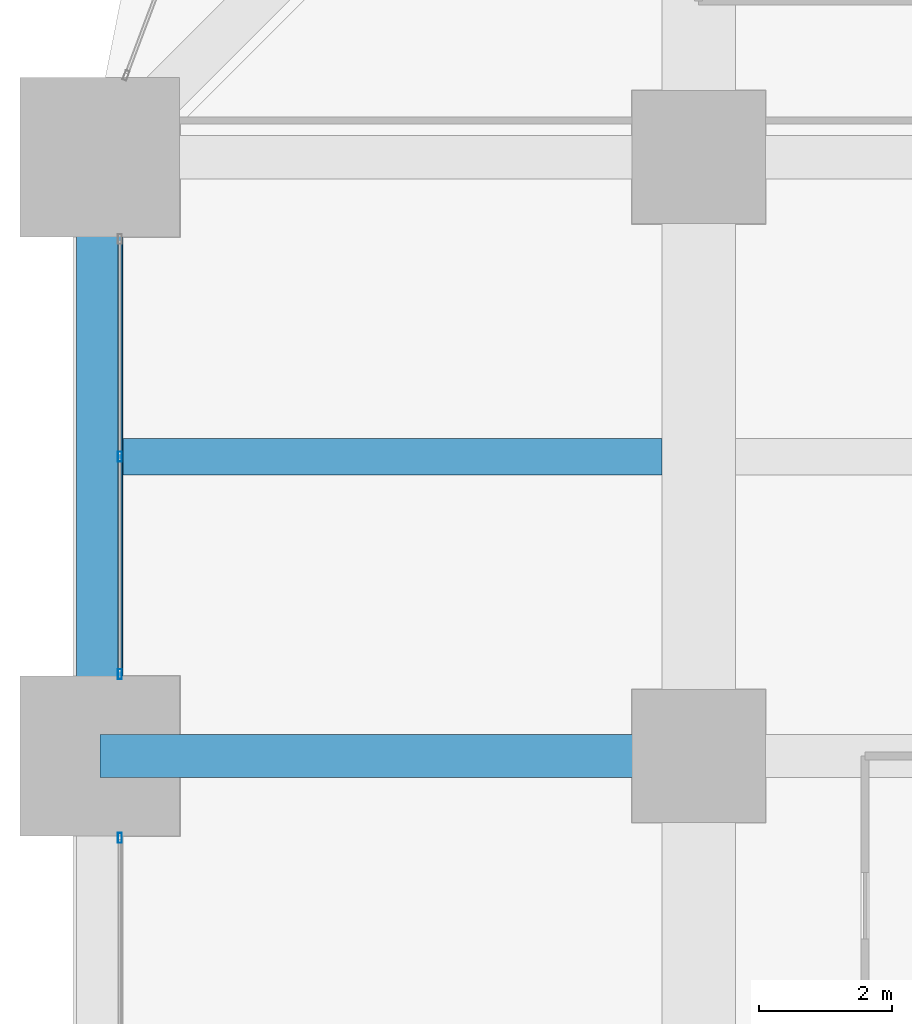
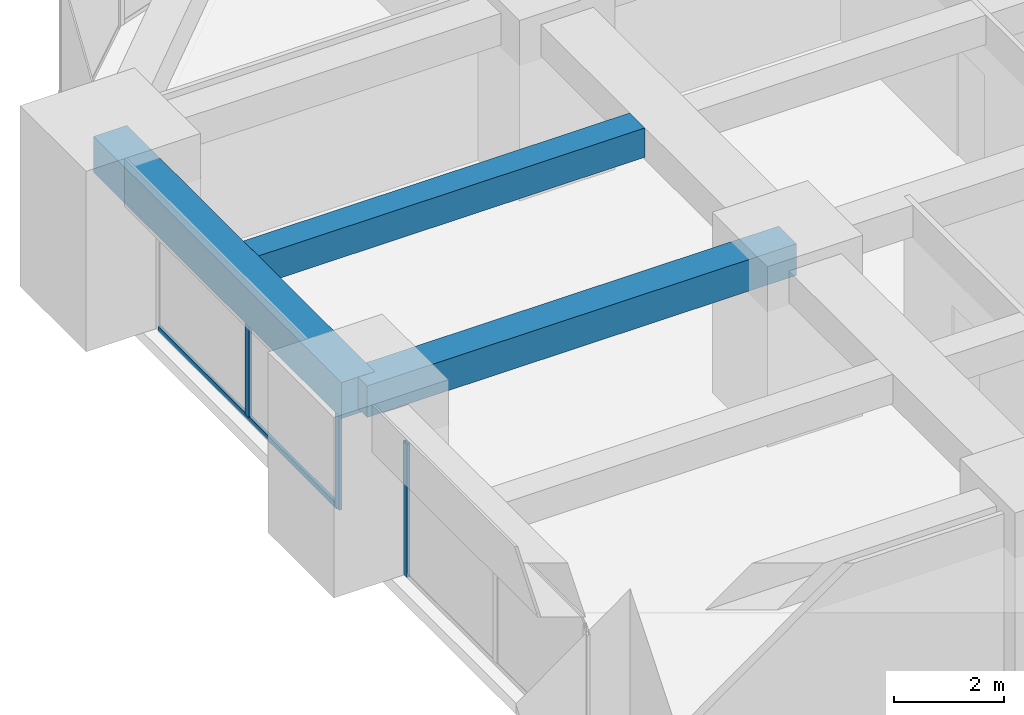
# One storey, part 11 of 41: 4 members, 3 beams, 2 elements without a shape of their own.
"""IFC4 building model written with IfcOpenShell, lengths in metres."""

from ifc_helpers import new_model, si_unit, direction, frame, origin, origin_2d, place, context, subcontext, project, spatial, rectangle, hollow_rectangle, extrude, material, material_profile, profile_set, type_object, element, aggregate, save


model = new_model("IFC4")

# Units and contexts
model_context = context("Model", 3, precision=1e-05, world=origin(), true_north=direction((0.0, 1.0)))
body_context = subcontext(model_context, "Body", "Model", "MODEL_VIEW")
ifc_project = project(units=[si_unit("LENGTHUNIT", "METRE"), si_unit("AREAUNIT", "SQUARE_METRE"), si_unit("VOLUMEUNIT", "CUBIC_METRE"), si_unit("PLANEANGLEUNIT", "RADIAN"), si_unit("MASSUNIT", "GRAM", prefix="KILO")], contexts=[model_context])

# Site, building, storey
site_placement = place(None, origin())
site = spatial("IfcSite", under=ifc_project, at=site_placement, CompositionType="ELEMENT")
building_placement = place(site_placement, origin())
building = spatial("IfcBuilding", under=site, at=building_placement, Name="Zorevar Civic Tower", CompositionType="ELEMENT")
storey_placement = place(building_placement, frame((0.0, 0.0, 97.0)))
storey = spatial("IfcBuildingStorey", under=building, at=storey_placement, Name="L23", CompositionType="ELEMENT", Elevation=97.0)

# Beams
ifc_material_1 = material(Name="Concrete C50/60", Category="concrete")
ifc_material_profile_1 = material_profile(ifc_material_1, rectangle(XDim=0.550048828125, YDim=0.64990234375, at=origin_2d()), Name="RC 550x650")
ifc_profile_set_1 = profile_set([ifc_material_profile_1], Name="Concrete C50/60")
beam_type_1 = type_object("IfcBeamType", Name="Beam RC 550x650", PredefinedType="BEAM", material=ifc_profile_set_1)
beam_1_placement = place(storey_placement, frame((0.35009765625, 31.5, 3.425048828125), z_axis=(1.0, 0.0, 0.0), x_axis=(0.0, 1.0, 0.0)))
element("IfcBeam", 1, at=beam_1_placement, inside=storey, type_object=beam_type_1, Name="Secondary beam L24", PredefinedType="BEAM", context=body_context, shape_type="SweptSolid", body=[
    extrude(rectangle(XDim=0.550048828125, YDim=0.64990234375, at=origin_2d()), origin(), (0.0, 0.0, 1.0), 8.099853515625),
])
ifc_material_2 = material(Name="Concrete C50/60", Category="concrete")
ifc_material_profile_2 = material_profile(ifc_material_2, rectangle(XDim=0.64990234375, YDim=0.699951171875, at=origin_2d()), Name="RC 650x700")
ifc_profile_set_2 = profile_set([ifc_material_profile_2], Name="Concrete C50/60")
beam_type_2 = type_object("IfcBeamType", Name="Beam RC 650x700", PredefinedType="BEAM", material=ifc_profile_set_2)
beam_2_placement = place(storey_placement, frame((0.0, 27.0, 3.39990234375), z_axis=(1.0, 0.0, 0.0), x_axis=(0.0, 1.0, 0.0)))
element("IfcBeam", 2, at=beam_2_placement, inside=storey, type_object=beam_type_2, Name="Girder L24", PredefinedType="BEAM", context=body_context, shape_type="SweptSolid", body=[
    extrude(rectangle(XDim=0.64990234375, YDim=0.699951171875, at=origin_2d()), origin(), (0.0, 0.0, 1.0), 9.0),
])

# Curtain wall, member
ifc_material_3 = material(Name="Dark grey solar-control glass in black aluminium frame", Category="aluminium")
curtain_wall_type = type_object("IfcCurtainWallType", Name="Curtain wall CW3 mid zone", PredefinedType="NOTDEFINED", material=ifc_material_3)
curtain_wall_1_placement = place(storey_placement, origin())
curtain_wall_1 = element("IfcCurtainWall", 3, at=curtain_wall_1_placement, inside=storey, type_object=curtain_wall_type, Name="CW3 L23", PredefinedType="NOTDEFINED")
ifc_material_4 = material(Name="Aluminium, black anodised", Category="aluminium")
ifc_material_profile_3 = material_profile(ifc_material_4, hollow_rectangle(XDim=0.06005859375, YDim=0.14990234375, WallThickness=0.00390625, at=origin_2d()), Name="AL 150x60x4")
ifc_profile_set_3 = profile_set([ifc_material_profile_3], Name="Aluminium, black anodised")
member_type_1 = type_object("IfcMemberType", Name="CW3 mullion AL 150x60x4", PredefinedType="MULLION", material=ifc_profile_set_3)
member_1_placement = place(storey_placement, frame((0.300048828125, 25.77001953125, 0.0), z_axis=(0.0, 0.0, 1.0), x_axis=(-1.0, 0.0, 0.0)))
member_1 = element("IfcMember", 4, at=member_1_placement, type_object=member_type_1, Name="CW3 mullion 3", PredefinedType="MULLION", context=body_context, shape_type="SweptSolid", body=[
    extrude(hollow_rectangle(XDim=0.06005859375, YDim=0.14990234375, WallThickness=0.00390625, at=origin_2d()), origin(), (0.0, 0.0, 1.0), 2.949951171875),
])
aggregate(curtain_wall_1, [member_1])

# Curtain wall, members
curtain_wall_2_placement = place(storey_placement, origin())
curtain_wall_2 = element("IfcCurtainWall", 5, at=curtain_wall_2_placement, inside=storey, type_object=curtain_wall_type, Name="CW3 L23", PredefinedType="NOTDEFINED")
member_2_placement = place(storey_placement, frame((0.300048828125, 28.22998046875, 0.0), z_axis=(0.0, 0.0, 1.0), x_axis=(-1.0, 0.0, 0.0)))
member_2 = element("IfcMember", 6, at=member_2_placement, type_object=member_type_1, Name="CW3 mullion 1", PredefinedType="MULLION", context=body_context, shape_type="SweptSolid", body=[
    extrude(hollow_rectangle(XDim=0.06005859375, YDim=0.14990234375, WallThickness=0.00390625, at=origin_2d()), origin(), (0.0, 0.0, 1.0), 2.949951171875),
])
member_3_placement = place(storey_placement, frame((0.300048828125, 31.5, 0.06005859375), z_axis=(0.0, 0.0, 1.0), x_axis=(-1.0, 0.0, 0.0)))
member_3 = element("IfcMember", 7, at=member_3_placement, type_object=member_type_1, Name="CW3 mullion 2", PredefinedType="MULLION", context=body_context, shape_type="SweptSolid", body=[
    extrude(hollow_rectangle(XDim=0.06005859375, YDim=0.14990234375, WallThickness=0.00390625, at=origin_2d()), origin(), (0.0, 0.0, 1.0), 2.889892578125),
])
ifc_material_5 = material(Name="Aluminium, black anodised", Category="aluminium")
ifc_material_profile_4 = material_profile(ifc_material_5, hollow_rectangle(XDim=0.06005859375, YDim=0.1201171875, WallThickness=0.0029296875, at=origin_2d()), Name="AL 120x60x3")
ifc_profile_set_4 = profile_set([ifc_material_profile_4], Name="Aluminium, black anodised")
member_type_2 = type_object("IfcMemberType", Name="CW3 transom AL 120x60x3", PredefinedType="USERDEFINED", material=ifc_profile_set_4)
member_4_placement = place(storey_placement, frame((0.300048828125, 28.260009765625, 0.030029296875), z_axis=(0.0, 1.0, 0.0), x_axis=(-1.0, 0.0, 0.0)))
member_4 = element("IfcMember", 8, at=member_4_placement, type_object=member_type_2, Name="CW3 sill transom", ObjectType="TRANSOM", PredefinedType="USERDEFINED", context=body_context, shape_type="SweptSolid", body=[
    extrude(hollow_rectangle(XDim=0.06005859375, YDim=0.1201171875, WallThickness=0.0029296875, at=origin_2d()), origin(), (0.0, 0.0, 1.0), 6.47998046875),
])
aggregate(curtain_wall_2, [member_2, member_3, member_4])

# Beam
ifc_material_6 = material(Name="Concrete C50/60", Category="concrete")
ifc_material_profile_5 = material_profile(ifc_material_6, rectangle(XDim=0.699951171875, YDim=0.800048828125, at=origin_2d()), Name="RC 700x800")
ifc_profile_set_5 = profile_set([ifc_material_profile_5], Name="Concrete C50/60")
beam_type_3 = type_object("IfcBeamType", Name="Edge beam RC 700x800", PredefinedType="SPANDREL", material=ifc_profile_set_5)
beam_3_placement = place(storey_placement, frame((0.0, 27.0, 3.35009765625), z_axis=(0.0, 1.0, 0.0), x_axis=(-1.0, 0.0, 0.0)))
element("IfcBeam", 9, at=beam_3_placement, inside=storey, type_object=beam_type_3, Name="Edge beam L24", PredefinedType="SPANDREL", context=body_context, shape_type="SweptSolid", body=[
    extrude(rectangle(XDim=0.699951171875, YDim=0.800048828125, at=origin_2d()), origin(), (0.0, 0.0, 1.0), 9.0),
])

save(model, "model.ifc")
